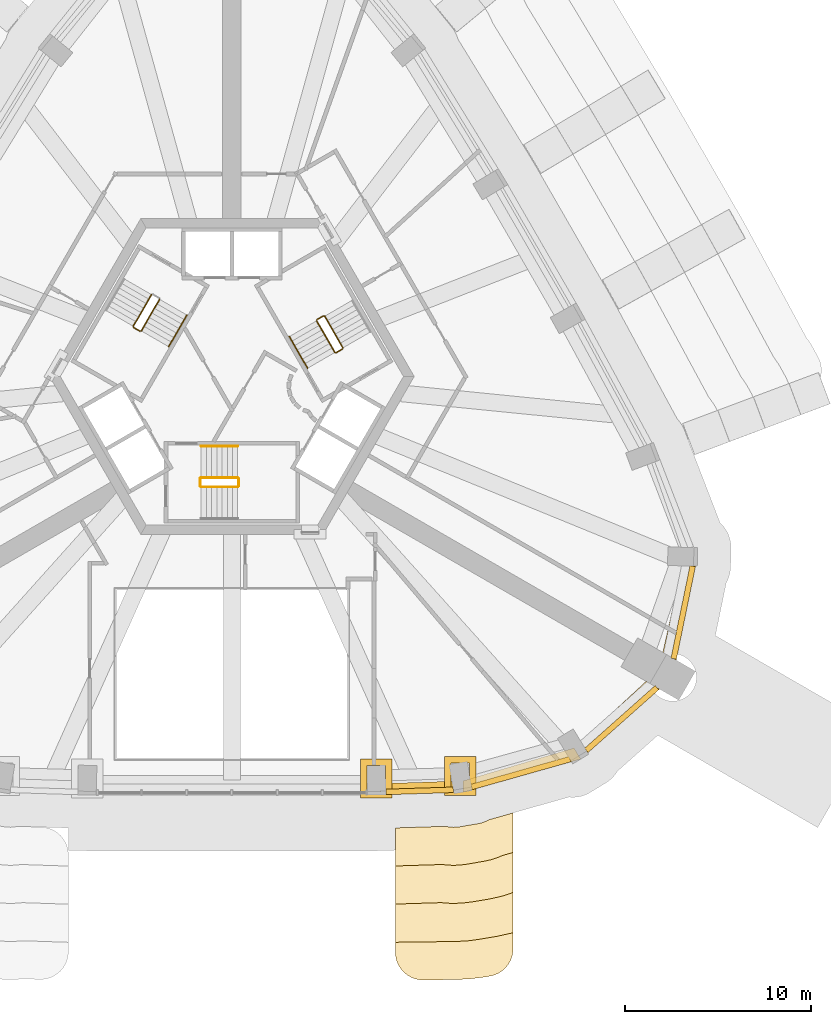
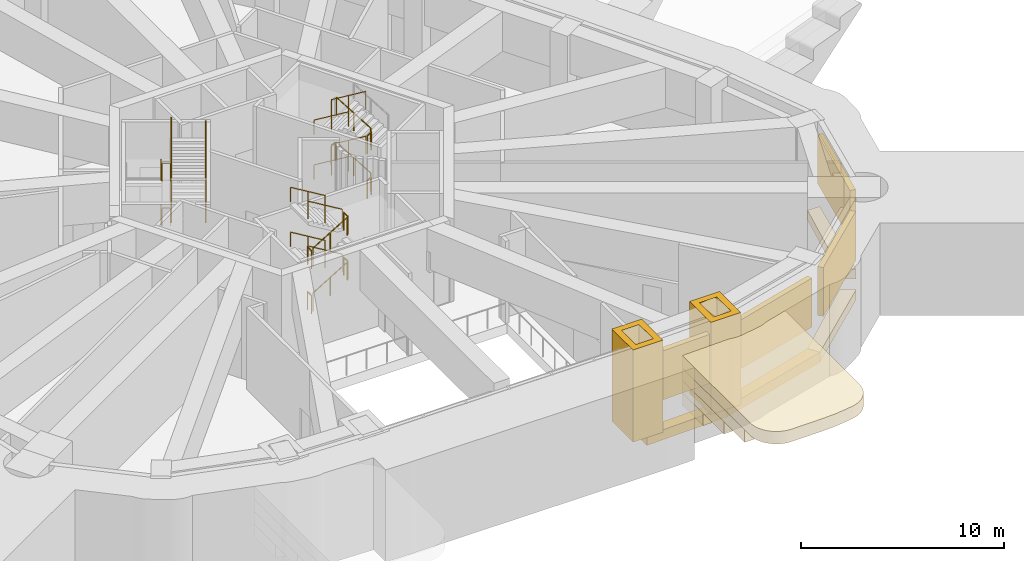
# One storey, part 11 of 15: 27 railings, 10 coverings, 4 shading devices.
"""IFC4 building model written with IfcOpenShell, lengths in metres."""

from ifc_helpers import new_model, si_unit, direction, frame, origin, origin_2d, place, context, subcontext, project, spatial, polyline, rectangle, circle, outline, extrude, material, layer, layer_set, type_object, element, save


model = new_model("IFC4")

# Units and contexts
model_context = context("Model", 3, precision=1e-05, world=origin(), true_north=direction((0.0, 1.0)))
body_context = subcontext(model_context, "Body", "Model", "MODEL_VIEW")
ifc_project = project(units=[si_unit("LENGTHUNIT", "METRE"), si_unit("AREAUNIT", "SQUARE_METRE"), si_unit("VOLUMEUNIT", "CUBIC_METRE"), si_unit("PLANEANGLEUNIT", "RADIAN"), si_unit("MASSUNIT", "GRAM", prefix="KILO")], contexts=[model_context])

# Site, building, storey
site_placement = place(None, origin())
site = spatial("IfcSite", under=ifc_project, at=site_placement, CompositionType="ELEMENT")
building_placement = place(site_placement, origin())
building = spatial("IfcBuilding", under=site, at=building_placement, Name="Entoto Arch Interchange Tower", CompositionType="ELEMENT")
storey_placement = place(building_placement, frame((0.0, 0.0, 326.0)))
storey = spatial("IfcBuildingStorey", under=building, at=storey_placement, Name="L77", CompositionType="ELEMENT", Elevation=326.0)

# Shading devices
ifc_material_1 = material(Name="Aluminium, anodised", Category="aluminium")
ifc_layer = layer(ifc_material_1, 0.300048828125)
ifc_layer_set = layer_set([ifc_layer], Name="Aluminium, anodised")
shading_device_type = type_object("IfcShadingDeviceType", Name="PLANT LOUVRE ALUMINIUM", PredefinedType="JALOUSIE", material=ifc_layer_set)
shading_device_1_placement = place(storey_placement, frame((10.10693359375, -19.81005859375, 1.2001953125), z_axis=(0.0, 0.0, 1.0), x_axis=(0.999496643061, 0.03172476177, 0.0)))
element("IfcShadingDevice", 1, at=shading_device_1_placement, inside=storey, type_object=shading_device_type, Name="Plant louvre S-03 L77", PredefinedType="JALOUSIE", context=body_context, shape_type="SweptSolid", body=[
    extrude(rectangle(XDim=3.625, YDim=0.300048828125, at=origin_2d()), origin(), (0.0, 0.0, 1.0), 2.949951171875),
])
shading_device_2_placement = place(storey_placement, frame((15.553955078125, -18.85400390625, 1.2001953125), z_axis=(0.0, 0.0, 1.0), x_axis=(0.962388882309, 0.271675613938, 0.0)))
element("IfcShadingDevice", 2, at=shading_device_2_placement, inside=storey, type_object=shading_device_type, Name="Plant louvre SE-01 L77", PredefinedType="JALOUSIE", context=body_context, shape_type="SweptSolid", body=[
    extrude(rectangle(XDim=5.5029296875, YDim=0.300048828125, at=origin_2d()), origin(), (0.0, 0.0, 1.0), 2.949951171875),
])
for number, where, z_axis, x_axis, name in (
    (3, (20.98388671875, -15.94091796875, 1.2001953125), (0.0, 0.0, 1.0), (0.747543106014, 0.664213297556, 0.0), "Plant louvre SE-02 L77"),
    (4, (24.297119140625, -10.200927734375, 1.2001953125), (0.0, 0.0, 1.0), (0.201402749538, 0.979508515776, 0.0), "Plant louvre SE-03 L77"),
):
    element("IfcShadingDevice", number, at=place(storey_placement, frame(where, z_axis=z_axis, x_axis=x_axis)), inside=storey, type_object=shading_device_type, Name=name, PredefinedType="JALOUSIE", context=body_context, shape_type="SweptSolid", body=[
        extrude(rectangle(XDim=5.089111328125, YDim=0.300048828125, at=origin_2d()), origin(), (0.0, 0.0, 1.0), 2.949951171875),
    ])

# Coverings
ifc_material_2 = material(Name="Board-marked precast concrete C50/60", Category="concrete")
covering_type_1 = type_object("IfcCoveringType", Name="PRECAST FRAME COURSE", PredefinedType="CLADDING", material=ifc_material_2)
covering_1_placement = place(storey_placement, frame((0.0, 0.0, 4.199951171875)))
element("IfcCovering", 5, at=covering_1_placement, inside=storey, type_object=covering_type_1, Name="Cantilever cornice L77 1", PredefinedType="CLADDING", context=body_context, shape_type="SweptSolid", body=[
    extrude(outline(polyline([(15.10791015625, -28.60400390625), (15.071044921875, -28.75), (15.01904296875, -28.89111328125), (14.9541015625, -29.02587890625), (14.875, -29.154052734375), (14.783935546875, -29.27294921875), (14.681884765625, -29.383056640625), (14.569091796875, -29.48193359375), (14.447021484375, -29.569091796875), (14.31591796875, -29.64404296875), (14.178955078125, -29.705078125), (14.037109375, -29.751953125), (13.889892578125, -29.783935546875), (13.6640625, -29.822998046875), (13.60595703125, -29.83203125), (12.922119140625, -29.9208984375), (12.804931640625, -29.931884765625), (12.757080078125, -29.93408203125), (12.115966796875, -29.968017578125), (12.056884765625, -29.969970703125), (10.99609375, -29.98291015625), (10.320068359375, -29.991943359375), (10.1708984375, -29.987060546875), (10.02392578125, -29.967041015625), (9.8798828125, -29.931884765625), (9.739990234375, -29.884033203125), (9.60498046875, -29.822021484375), (9.47705078125, -29.7470703125), (9.35693359375, -29.658935546875), (9.24609375, -29.56005859375), (9.14599609375, -29.450927734375), (9.056884765625, -29.33203125), (8.97998046875, -29.205078125), (8.916015625, -29.071044921875), (8.865966796875, -28.930908203125), (8.8291015625, -28.7880859375), (8.806884765625, -28.64111328125), (8.800048828125, -28.492919921875), (8.800048828125, -21.841064453125), (8.800048828125, -21.802978515625), (11.52392578125, -21.716064453125), (11.554931640625, -21.72509765625), (11.72900390625, -21.756103515625), (11.906005859375, -21.76904296875), (12.08203125, -21.76611328125), (12.258056640625, -21.743896484375), (13.242919921875, -21.575927734375), (13.416015625, -21.5380859375), (13.583984375, -21.48291015625), (13.7451171875, -21.412109375), (13.823974609375, -21.367919921875), (15.137939453125, -20.9970703125), (15.137939453125, -21.033935546875), (15.137939453125, -28.305908203125), (15.1298828125, -28.4560546875), (15.10791015625, -28.60400390625)])), origin(), (0.0, 0.0, 1.0), 0.75),
])
covering_2_placement = place(storey_placement, frame((0.0, 0.0, 3.449951171875)))
element("IfcCovering", 6, at=covering_2_placement, inside=storey, type_object=covering_type_1, Name="Cantilever cornice L77 2", PredefinedType="CLADDING", context=body_context, shape_type="SweptSolid", body=[
    extrude(outline(polyline([(8.800048828125, -21.802978515625), (11.52392578125, -21.716064453125), (11.554931640625, -21.72509765625), (11.72900390625, -21.756103515625), (11.906005859375, -21.76904296875), (12.08203125, -21.76611328125), (12.258056640625, -21.743896484375), (13.242919921875, -21.575927734375), (13.416015625, -21.5380859375), (13.583984375, -21.48291015625), (13.7451171875, -21.412109375), (13.823974609375, -21.367919921875), (15.137939453125, -20.9970703125), (15.137939453125, -21.033935546875), (15.137939453125, -27.43798828125), (15.0380859375, -27.469970703125), (14.277099609375, -27.638916015625), (13.291015625, -27.806884765625), (12.677001953125, -27.886962890625), (12.06005859375, -27.9189453125), (8.800048828125, -27.9619140625), (8.800048828125, -21.841064453125), (8.800048828125, -21.802978515625)])), origin(), (0.0, 0.0, 1.0), 0.75),
])
covering_3_placement = place(storey_placement, frame((0.0, 0.0, 2.699951171875)))
element("IfcCovering", 7, at=covering_3_placement, inside=storey, type_object=covering_type_1, Name="Cantilever cornice L77 3", PredefinedType="CLADDING", context=body_context, shape_type="SweptSolid", body=[
    extrude(outline(polyline([(8.800048828125, -21.802978515625), (11.52392578125, -21.716064453125), (11.554931640625, -21.72509765625), (11.72900390625, -21.756103515625), (11.906005859375, -21.76904296875), (12.08203125, -21.76611328125), (12.258056640625, -21.743896484375), (13.242919921875, -21.575927734375), (13.416015625, -21.5380859375), (13.583984375, -21.48291015625), (13.7451171875, -21.412109375), (13.823974609375, -21.367919921875), (15.137939453125, -20.9970703125), (15.137939453125, -21.033935546875), (15.137939453125, -25.27294921875), (15.048095703125, -25.31298828125), (14.4970703125, -25.492919921875), (13.931884765625, -25.617919921875), (12.946044921875, -25.785888671875), (12.3720703125, -25.85498046875), (11.79296875, -25.867919921875), (11.259033203125, -25.826904296875), (8.800048828125, -25.905029296875), (8.800048828125, -21.841064453125), (8.800048828125, -21.802978515625)])), origin(), (0.0, 0.0, 1.0), 0.75),
])
covering_4_placement = place(storey_placement, frame((0.0, 0.0, 1.949951171875)))
element("IfcCovering", 8, at=covering_4_placement, inside=storey, type_object=covering_type_1, Name="Cantilever cornice L77 4", PredefinedType="CLADDING", context=body_context, shape_type="SweptSolid", body=[
    extrude(outline(polyline([(8.800048828125, -21.802978515625), (11.52392578125, -21.716064453125), (11.554931640625, -21.72509765625), (11.72900390625, -21.756103515625), (11.906005859375, -21.76904296875), (12.08203125, -21.76611328125), (12.258056640625, -21.743896484375), (13.242919921875, -21.575927734375), (13.416015625, -21.5380859375), (13.583984375, -21.48291015625), (13.7451171875, -21.412109375), (13.823974609375, -21.367919921875), (15.137939453125, -20.9970703125), (15.137939453125, -21.033935546875), (15.137939453125, -23.126953125), (14.56298828125, -23.2890625), (14.31591796875, -23.39794921875), (13.95703125, -23.51611328125), (13.587890625, -23.596923828125), (12.60205078125, -23.764892578125), (12.22705078125, -23.81005859375), (11.84912109375, -23.819091796875), (11.471923828125, -23.7900390625), (11.3740234375, -23.77197265625), (8.800048828125, -23.85400390625), (8.800048828125, -21.841064453125), (8.800048828125, -21.802978515625)])), origin(), (0.0, 0.0, 1.0), 0.75),
])
covering_5_placement = place(storey_placement, frame((0.0, 0.0, -0.60009765625)))
element("IfcCovering", 9, at=covering_5_placement, inside=storey, type_object=covering_type_1, Name="Gate pier L77", PredefinedType="CLADDING", context=body_context, shape_type="SweptSolid", body=[
    extrude(outline(polyline([(6.931884765625, -18.083984375), (8.632080078125, -18.083984375), (8.632080078125, -20.18408203125), (6.931884765625, -20.18408203125), (6.931884765625, -18.083984375)]), holes=[polyline([(7.281982421875, -18.43408203125), (7.281982421875, -19.833984375), (8.281982421875, -19.833984375), (8.281982421875, -18.43408203125), (7.281982421875, -18.43408203125)])]), origin(), (0.0, 0.0, 1.0), 5.550048828125),
])
covering_6_placement = place(storey_placement, frame((0.0, 0.0, -0.60009765625)))
element("IfcCovering", 10, at=covering_6_placement, inside=storey, type_object=covering_type_1, Name="Gate pier L77", PredefinedType="CLADDING", context=body_context, shape_type="SweptSolid", body=[
    extrude(outline(polyline([(11.447021484375, -17.948974609375), (13.14697265625, -17.948974609375), (13.14697265625, -20.049072265625), (11.447021484375, -20.049072265625), (11.447021484375, -17.948974609375)]), holes=[polyline([(11.797119140625, -18.299072265625), (11.797119140625, -19.698974609375), (12.797119140625, -19.698974609375), (12.797119140625, -18.299072265625), (11.797119140625, -18.299072265625)])]), origin(), (0.0, 0.0, 1.0), 5.550048828125),
])
covering_type_2 = type_object("IfcCoveringType", Name="PRECAST LEDGE COURSE", PredefinedType="CLADDING", material=ifc_material_2)
covering_7_placement = place(storey_placement, frame((0.0, 0.0, -1.199951171875)))
element("IfcCovering", 11, at=covering_7_placement, inside=storey, type_object=covering_type_2, Name="Precast course S-03 L77", PredefinedType="CLADDING", context=body_context, shape_type="SweptSolid", body=[
    extrude(outline(polyline([(12.447998046875, -19.27197265625), (12.447998046875, -19.885986328125), (7.800048828125, -20.033935546875), (7.800048828125, -19.427978515625), (12.447998046875, -19.27197265625)])), origin(), (0.0, 0.0, 1.0), 0.599853515625),
])
covering_8_placement = place(storey_placement, frame((0.0, 0.0, -1.199951171875)))
element("IfcCovering", 12, at=covering_8_placement, inside=storey, type_object=covering_type_2, Name="Precast course SE-01 L77", PredefinedType="CLADDING", context=body_context, shape_type="SweptSolid", body=[
    extrude(outline(polyline([(18.41796875, -17.501953125), (18.781982421875, -18.097900390625), (12.447998046875, -19.885986328125), (12.447998046875, -19.27197265625), (18.41796875, -17.501953125)])), origin(), (0.0, 0.0, 1.0), 0.599853515625),
])
covering_9_placement = place(storey_placement, frame((0.0, 0.0, -1.199951171875)))
element("IfcCovering", 13, at=covering_9_placement, inside=storey, type_object=covering_type_2, Name="Precast course SE-02 L77", PredefinedType="CLADDING", context=body_context, shape_type="SweptSolid", body=[
    extrude(outline(polyline([(22.302978515625, -13.916015625), (23.02197265625, -14.3310546875), (18.781982421875, -18.097900390625), (18.41796875, -17.501953125), (22.302978515625, -13.916015625)])), origin(), (0.0, 0.0, 1.0), 0.599853515625),
])
covering_10_placement = place(storey_placement, frame((0.0, 0.0, -1.199951171875)))
element("IfcCovering", 14, at=covering_10_placement, inside=storey, type_object=covering_type_2, Name="Precast course SE-03 L77", PredefinedType="CLADDING", context=body_context, shape_type="SweptSolid", body=[
    extrude(outline(polyline([(24.365966796875, -7.198974609375), (25.06396484375, -7.216064453125), (23.922119140625, -12.77197265625), (23.202880859375, -12.35693359375), (24.365966796875, -7.198974609375)])), origin(), (0.0, 0.0, 1.0), 0.599853515625),
])

# Railings
ifc_material_3 = material(Name="Stainless steel 1.4301", Category="steel")
railing_type_1 = type_object("IfcRailingType", Name="STAIR GUARD 1100 STEEL", PredefinedType="GUARDRAIL", material=ifc_material_3)
railing_1_placement = place(storey_placement, frame((-1.64990234375, -3.449951171875, 0.168701171875)))
element("IfcRailing", 15, at=railing_1_placement, inside=storey, type_object=railing_type_1, Name="L77 ST-S stair guard 1", PredefinedType="GUARDRAIL", context=body_context, shape_type="SweptSolid", body=[
    extrude(circle(Radius=0.02392578125, at=origin_2d()), frame((0.0, 0.0, 1.076171875), z_axis=(0.856446297458, 0.0, 0.516236127728), x_axis=(0.0, 1.0, 0.0)), (0.0, 0.0, 1.0), 2.28857421875),
    extrude(circle(Radius=0.02099609375, at=origin_2d()), origin(), (0.0, 0.0, 1.0), 1.052001953125),
    extrude(circle(Radius=0.02099609375, at=origin_2d()), frame((0.97998046875, 0.0, 0.5908203125)), (0.0, 0.0, 1.0), 1.052001953125),
    extrude(circle(Radius=0.02099609375, at=origin_2d()), frame((1.9599609375, 0.0, 1.181396484375)), (0.0, 0.0, 1.0), 1.052001953125),
])
railing_2_placement = place(storey_placement, frame((0.360107421875, -3.39990234375, 1.35009765625)))
element("IfcRailing", 16, at=railing_2_placement, inside=storey, type_object=railing_type_1, Name="L77 ST-S stair guard 2", PredefinedType="GUARDRAIL", context=body_context, shape_type="SweptSolid", body=[
    extrude(circle(Radius=0.02392578125, at=origin_2d()), frame((0.0, 0.0, 1.076171875), z_axis=(0.0, 1.0, 0.0), x_axis=(-1.0, 0.0, 0.0)), (0.0, 0.0, 1.0), 0.39990234375),
    extrude(circle(Radius=0.02099609375, at=origin_2d()), origin(), (0.0, 0.0, 1.0), 1.052001953125),
    extrude(circle(Radius=0.02099609375, at=origin_2d()), frame((0.0, 0.39990234375, 0.0)), (0.0, 0.0, 1.0), 1.052001953125),
])
railing_3_placement = place(storey_placement, frame((0.31005859375, -2.949951171875, 1.518798828125)))
element("IfcRailing", 17, at=railing_3_placement, inside=storey, type_object=railing_type_1, Name="L77 ST-S stair guard 3", PredefinedType="GUARDRAIL", context=body_context, shape_type="SweptSolid", body=[
    extrude(circle(Radius=0.02392578125, at=origin_2d()), frame((0.0, 0.0, 1.076171875), z_axis=(-0.856493463811, 0.0, 0.516157869696), x_axis=(0.0, -1.0, 0.0)), (0.0, 0.0, 1.0), 2.288330078125),
    extrude(circle(Radius=0.02099609375, at=origin_2d()), origin(), (0.0, 0.0, 1.0), 1.052001953125),
    extrude(circle(Radius=0.02099609375, at=origin_2d()), frame((-0.97998046875, 0.0, 0.590576171875)), (0.0, 0.0, 1.0), 1.052001953125),
    extrude(circle(Radius=0.02099609375, at=origin_2d()), frame((-1.9599609375, 0.0, 1.18115234375)), (0.0, 0.0, 1.0), 1.052001953125),
])
railing_4_placement = place(storey_placement, frame((-1.699951171875, -3.39990234375, 2.699951171875)))
element("IfcRailing", 18, at=railing_4_placement, inside=storey, type_object=railing_type_1, Name="L77 ST-S stair guard 4", PredefinedType="GUARDRAIL", context=body_context, shape_type="SweptSolid", body=[
    extrude(circle(Radius=0.02392578125, at=origin_2d()), frame((0.0, 0.0, 1.076171875), z_axis=(0.0, 1.0, 0.0), x_axis=(-1.0, 0.0, 0.0)), (0.0, 0.0, 1.0), 0.39990234375),
    extrude(circle(Radius=0.02099609375, at=origin_2d()), origin(), (0.0, 0.0, 1.0), 1.052001953125),
    extrude(circle(Radius=0.02099609375, at=origin_2d()), frame((0.0, 0.39990234375, 0.0)), (0.0, 0.0, 1.0), 1.052001953125),
])
railing_5_placement = place(storey_placement, frame((-1.64990234375, -3.449951171875, 2.86865234375)))
element("IfcRailing", 19, at=railing_5_placement, inside=storey, type_object=railing_type_1, Name="L77 ST-S stair guard 5", PredefinedType="GUARDRAIL", context=body_context, shape_type="SweptSolid", body=[
    extrude(circle(Radius=0.02392578125, at=origin_2d()), frame((0.0, 0.0, 1.076171875), z_axis=(0.856446297458, 0.0, 0.516236127728), x_axis=(0.0, 1.0, 0.0)), (0.0, 0.0, 1.0), 2.28857421875),
    extrude(circle(Radius=0.02099609375, at=origin_2d()), origin(), (0.0, 0.0, 1.0), 1.052001953125),
    extrude(circle(Radius=0.02099609375, at=origin_2d()), frame((0.97998046875, 0.0, 0.5908203125)), (0.0, 0.0, 1.0), 1.052001953125),
    extrude(circle(Radius=0.02099609375, at=origin_2d()), frame((1.9599609375, 0.0, 1.181396484375)), (0.0, 0.0, 1.0), 1.052001953125),
])
railing_6_placement = place(storey_placement, frame((0.360107421875, -3.39990234375, 4.050048828125)))
element("IfcRailing", 20, at=railing_6_placement, inside=storey, type_object=railing_type_1, Name="L77 ST-S stair guard 6", PredefinedType="GUARDRAIL", context=body_context, shape_type="SweptSolid", body=[
    extrude(circle(Radius=0.02392578125, at=origin_2d()), frame((0.0, 0.0, 1.076171875), z_axis=(0.0, 1.0, 0.0), x_axis=(-1.0, 0.0, 0.0)), (0.0, 0.0, 1.0), 0.39990234375),
    extrude(circle(Radius=0.02099609375, at=origin_2d()), origin(), (0.0, 0.0, 1.0), 1.052001953125),
    extrude(circle(Radius=0.02099609375, at=origin_2d()), frame((0.0, 0.39990234375, 0.0)), (0.0, 0.0, 1.0), 1.052001953125),
])
railing_7_placement = place(storey_placement, frame((0.31005859375, -2.949951171875, 4.21875)))
element("IfcRailing", 21, at=railing_7_placement, inside=storey, type_object=railing_type_1, Name="L77 ST-S stair guard 7", PredefinedType="GUARDRAIL", context=body_context, shape_type="SweptSolid", body=[
    extrude(circle(Radius=0.02392578125, at=origin_2d()), frame((0.0, 0.0, 1.076171875), z_axis=(-0.856493463811, 0.0, 0.516157869696), x_axis=(0.0, -1.0, 0.0)), (0.0, 0.0, 1.0), 2.288330078125),
    extrude(circle(Radius=0.02099609375, at=origin_2d()), origin(), (0.0, 0.0, 1.0), 1.052001953125),
    extrude(circle(Radius=0.02099609375, at=origin_2d()), frame((-0.97998046875, 0.0, 0.590576171875)), (0.0, 0.0, 1.0), 1.052001953125),
    extrude(circle(Radius=0.02099609375, at=origin_2d()), frame((-1.9599609375, 0.0, 1.18115234375)), (0.0, 0.0, 1.0), 1.052001953125),
])
railing_8_placement = place(storey_placement, frame((-1.699951171875, -3.39990234375, 0.0)))
element("IfcRailing", 22, at=railing_8_placement, inside=storey, type_object=railing_type_1, Name="L77 ST-S stair guard 8", PredefinedType="GUARDRAIL", context=body_context, shape_type="SweptSolid", body=[
    extrude(circle(Radius=0.02392578125, at=origin_2d()), frame((0.0, 0.0, 1.076171875), z_axis=(0.0, 1.0, 0.0), x_axis=(-1.0, 0.0, 0.0)), (0.0, 0.0, 1.0), 0.39990234375),
    extrude(circle(Radius=0.02099609375, at=origin_2d()), origin(), (0.0, 0.0, 1.0), 1.052001953125),
    extrude(circle(Radius=0.02099609375, at=origin_2d()), frame((0.0, 0.39990234375, 0.0)), (0.0, 0.0, 1.0), 1.052001953125),
])
railing_9_placement = place(storey_placement, frame((5.977783203125, 4.046142578125, 0.168701171875)))
element("IfcRailing", 23, at=railing_9_placement, inside=storey, type_object=railing_type_1, Name="L77 ST-NE stair guard 1", PredefinedType="GUARDRAIL", context=body_context, shape_type="SweptSolid", body=[
    extrude(circle(Radius=0.02392578125, at=origin_2d()), frame((0.0, 0.0, 1.076171875), z_axis=(-0.428238462606, 0.741682559053, 0.516254589076), x_axis=(-0.866011328839, -0.500024377727, 0.0)), (0.0, 0.0, 1.0), 2.288330078125),
    extrude(circle(Radius=0.02099609375, at=origin_2d()), origin(), (0.0, 0.0, 1.0), 1.052001953125),
    extrude(circle(Radius=0.02099609375, at=origin_2d()), frame((-0.489990234375, 0.8486328125, 0.5908203125)), (0.0, 0.0, 1.0), 1.052001953125),
    extrude(circle(Radius=0.02099609375, at=origin_2d()), frame((-0.97998046875, 1.697265625, 1.181396484375)), (0.0, 0.0, 1.0), 1.052001953125),
])
railing_10_placement = place(storey_placement, frame((4.929443359375, 5.76171875, 1.35009765625)))
element("IfcRailing", 24, at=railing_10_placement, inside=storey, type_object=railing_type_1, Name="L77 ST-NE stair guard 2", PredefinedType="GUARDRAIL", context=body_context, shape_type="SweptSolid", body=[
    extrude(circle(Radius=0.02392578125, at=origin_2d()), frame((0.0, 0.0, 1.076171875), z_axis=(-0.865941482684, -0.500145327446, 0.0), x_axis=(0.500145327446, -0.865941482684, 0.0)), (0.0, 0.0, 1.0), 0.39990234375),
    extrude(circle(Radius=0.02099609375, at=origin_2d()), origin(), (0.0, 0.0, 1.0), 1.052001953125),
    extrude(circle(Radius=0.02099609375, at=origin_2d()), frame((-0.34619140625, -0.199951171875, 0.0)), (0.0, 0.0, 1.0), 1.052001953125),
])
railing_11_placement = place(storey_placement, frame((4.56494140625, 5.493408203125, 1.518798828125)))
element("IfcRailing", 25, at=railing_11_placement, inside=storey, type_object=railing_type_1, Name="L77 ST-NE stair guard 3", PredefinedType="GUARDRAIL", context=body_context, shape_type="SweptSolid", body=[
    extrude(circle(Radius=0.02392578125, at=origin_2d()), frame((0.0, 0.0, 1.076171875), z_axis=(0.428262048313, -0.74172340804, 0.516176330279), x_axis=(0.866011328839, 0.500024377727, 0.0)), (0.0, 0.0, 1.0), 2.288330078125),
    extrude(circle(Radius=0.02099609375, at=origin_2d()), origin(), (0.0, 0.0, 1.0), 1.052001953125),
    extrude(circle(Radius=0.02099609375, at=origin_2d()), frame((0.489990234375, -0.8486328125, 0.590576171875)), (0.0, 0.0, 1.0), 1.052001953125),
    extrude(circle(Radius=0.02099609375, at=origin_2d()), frame((0.97998046875, -1.697265625, 1.18115234375)), (0.0, 0.0, 1.0), 1.052001953125),
])
railing_12_placement = place(storey_placement, frame((5.95947265625, 3.977783203125, 2.699951171875)))
element("IfcRailing", 26, at=railing_12_placement, inside=storey, type_object=railing_type_1, Name="L77 ST-NE stair guard 4", PredefinedType="GUARDRAIL", context=body_context, shape_type="SweptSolid", body=[
    extrude(circle(Radius=0.02392578125, at=origin_2d()), frame((0.0, 0.0, 1.076171875), z_axis=(-0.866094119867, -0.499880961361, 0.0), x_axis=(0.499880961361, -0.866094119867, 0.0)), (0.0, 0.0, 1.0), 0.39990234375),
    extrude(circle(Radius=0.02099609375, at=origin_2d()), origin(), (0.0, 0.0, 1.0), 1.052001953125),
    extrude(circle(Radius=0.02099609375, at=origin_2d()), frame((-0.346435546875, -0.199951171875, 0.0)), (0.0, 0.0, 1.0), 1.052001953125),
])
railing_13_placement = place(storey_placement, frame((5.977783203125, 4.046142578125, 2.86865234375)))
element("IfcRailing", 27, at=railing_13_placement, inside=storey, type_object=railing_type_1, Name="L77 ST-NE stair guard 5", PredefinedType="GUARDRAIL", context=body_context, shape_type="SweptSolid", body=[
    extrude(circle(Radius=0.02392578125, at=origin_2d()), frame((0.0, 0.0, 1.076171875), z_axis=(-0.428238462606, 0.741682559053, 0.516254589076), x_axis=(-0.866011328839, -0.500024377727, 0.0)), (0.0, 0.0, 1.0), 2.288330078125),
    extrude(circle(Radius=0.02099609375, at=origin_2d()), origin(), (0.0, 0.0, 1.0), 1.052001953125),
    extrude(circle(Radius=0.02099609375, at=origin_2d()), frame((-0.489990234375, 0.8486328125, 0.5908203125)), (0.0, 0.0, 1.0), 1.052001953125),
    extrude(circle(Radius=0.02099609375, at=origin_2d()), frame((-0.97998046875, 1.697265625, 1.181396484375)), (0.0, 0.0, 1.0), 1.052001953125),
])
railing_14_placement = place(storey_placement, frame((4.56494140625, 5.493408203125, 4.21875)))
element("IfcRailing", 28, at=railing_14_placement, inside=storey, type_object=railing_type_1, Name="L77 ST-NE stair guard 7", PredefinedType="GUARDRAIL", context=body_context, shape_type="SweptSolid", body=[
    extrude(circle(Radius=0.02392578125, at=origin_2d()), frame((0.0, 0.0, 1.076171875), z_axis=(0.428262048313, -0.74172340804, 0.516176330279), x_axis=(0.866011328839, 0.500024377727, 0.0)), (0.0, 0.0, 1.0), 2.288330078125),
    extrude(circle(Radius=0.02099609375, at=origin_2d()), origin(), (0.0, 0.0, 1.0), 1.052001953125),
    extrude(circle(Radius=0.02099609375, at=origin_2d()), frame((0.489990234375, -0.8486328125, 0.590576171875)), (0.0, 0.0, 1.0), 1.052001953125),
    extrude(circle(Radius=0.02099609375, at=origin_2d()), frame((0.97998046875, -1.697265625, 1.18115234375)), (0.0, 0.0, 1.0), 1.052001953125),
])
railing_15_placement = place(storey_placement, frame((5.95947265625, 3.977783203125, 0.0)))
element("IfcRailing", 29, at=railing_15_placement, inside=storey, type_object=railing_type_1, Name="L77 ST-NE stair guard 8", PredefinedType="GUARDRAIL", context=body_context, shape_type="SweptSolid", body=[
    extrude(circle(Radius=0.02392578125, at=origin_2d()), frame((0.0, 0.0, 1.076171875), z_axis=(-0.866094119867, -0.499880961361, 0.0), x_axis=(0.499880961361, -0.866094119867, 0.0)), (0.0, 0.0, 1.0), 0.39990234375),
    extrude(circle(Radius=0.02099609375, at=origin_2d()), origin(), (0.0, 0.0, 1.0), 1.052001953125),
    extrude(circle(Radius=0.02099609375, at=origin_2d()), frame((-0.346435546875, -0.199951171875, 0.0)), (0.0, 0.0, 1.0), 1.052001953125),
])
railing_16_placement = place(storey_placement, frame((-4.327880859375, 6.904052734375, 0.168701171875)))
element("IfcRailing", 30, at=railing_16_placement, inside=storey, type_object=railing_type_1, Name="L77 ST-NW stair guard 1", PredefinedType="GUARDRAIL", context=body_context, shape_type="SweptSolid", body=[
    extrude(circle(Radius=0.02392578125, at=origin_2d()), frame((0.0, 0.0, 1.076171875), z_axis=(-0.428204578836, -0.741730552229, 0.516213741153), x_axis=(0.866042469362, -0.499970440388, 0.0)), (0.0, 0.0, 1.0), 2.28857421875),
    extrude(circle(Radius=0.02099609375, at=origin_2d()), origin(), (0.0, 0.0, 1.0), 1.052001953125),
    extrude(circle(Radius=0.02099609375, at=origin_2d()), frame((-0.489990234375, -0.8486328125, 0.5908203125)), (0.0, 0.0, 1.0), 1.052001953125),
    extrude(circle(Radius=0.02099609375, at=origin_2d()), frame((-0.97998046875, -1.697509765625, 1.181396484375)), (0.0, 0.0, 1.0), 1.052001953125),
])
railing_17_placement = place(storey_placement, frame((-5.28955078125, 5.13818359375, 1.35009765625)))
element("IfcRailing", 31, at=railing_17_placement, inside=storey, type_object=railing_type_1, Name="L77 ST-NW stair guard 2", PredefinedType="GUARDRAIL", context=body_context, shape_type="SweptSolid", body=[
    extrude(circle(Radius=0.02392578125, at=origin_2d()), frame((0.0, 0.0, 1.076171875), z_axis=(0.866094119867, -0.499880961361, 0.0), x_axis=(0.499880961361, 0.866094119867, 0.0)), (0.0, 0.0, 1.0), 0.39990234375),
    extrude(circle(Radius=0.02099609375, at=origin_2d()), origin(), (0.0, 0.0, 1.0), 1.052001953125),
    extrude(circle(Radius=0.02099609375, at=origin_2d()), frame((0.346435546875, -0.199951171875, 0.0)), (0.0, 0.0, 1.0), 1.052001953125),
])
railing_18_placement = place(storey_placement, frame((-4.874755859375, 4.95654296875, 1.518798828125)))
element("IfcRailing", 32, at=railing_18_placement, inside=storey, type_object=railing_type_1, Name="L77 ST-NW stair guard 3", PredefinedType="GUARDRAIL", context=body_context, shape_type="SweptSolid", body=[
    extrude(circle(Radius=0.02392578125, at=origin_2d()), frame((0.0, 0.0, 1.076171875), z_axis=(0.428228158944, 0.741771397394, 0.516135484049), x_axis=(-0.866042469362, 0.499970440388, 0.0)), (0.0, 0.0, 1.0), 2.28857421875),
    extrude(circle(Radius=0.02099609375, at=origin_2d()), origin(), (0.0, 0.0, 1.0), 1.052001953125),
    extrude(circle(Radius=0.02099609375, at=origin_2d()), frame((0.489990234375, 0.8486328125, 0.590576171875)), (0.0, 0.0, 1.0), 1.052001953125),
    extrude(circle(Radius=0.02099609375, at=origin_2d()), frame((0.97998046875, 1.697509765625, 1.18115234375)), (0.0, 0.0, 1.0), 1.052001953125),
])
railing_19_placement = place(storey_placement, frame((-4.327880859375, 6.904052734375, 2.86865234375)))
element("IfcRailing", 33, at=railing_19_placement, inside=storey, type_object=railing_type_1, Name="L77 ST-NW stair guard 5", PredefinedType="GUARDRAIL", context=body_context, shape_type="SweptSolid", body=[
    extrude(circle(Radius=0.02392578125, at=origin_2d()), frame((0.0, 0.0, 1.076171875), z_axis=(-0.428204578836, -0.741730552229, 0.516213741153), x_axis=(0.866042469362, -0.499970440388, 0.0)), (0.0, 0.0, 1.0), 2.28857421875),
    extrude(circle(Radius=0.02099609375, at=origin_2d()), origin(), (0.0, 0.0, 1.0), 1.052001953125),
    extrude(circle(Radius=0.02099609375, at=origin_2d()), frame((-0.489990234375, -0.8486328125, 0.5908203125)), (0.0, 0.0, 1.0), 1.052001953125),
    extrude(circle(Radius=0.02099609375, at=origin_2d()), frame((-0.97998046875, -1.697509765625, 1.181396484375)), (0.0, 0.0, 1.0), 1.052001953125),
])
railing_20_placement = place(storey_placement, frame((-5.28955078125, 5.13818359375, 4.050048828125)))
element("IfcRailing", 34, at=railing_20_placement, inside=storey, type_object=railing_type_1, Name="L77 ST-NW stair guard 6", PredefinedType="GUARDRAIL", context=body_context, shape_type="SweptSolid", body=[
    extrude(circle(Radius=0.02392578125, at=origin_2d()), frame((0.0, 0.0, 1.076171875), z_axis=(0.866094119867, -0.499880961361, 0.0), x_axis=(0.499880961361, 0.866094119867, 0.0)), (0.0, 0.0, 1.0), 0.39990234375),
    extrude(circle(Radius=0.02099609375, at=origin_2d()), origin(), (0.0, 0.0, 1.0), 1.052001953125),
    extrude(circle(Radius=0.02099609375, at=origin_2d()), frame((0.346435546875, -0.199951171875, 0.0)), (0.0, 0.0, 1.0), 1.052001953125),
])
railing_21_placement = place(storey_placement, frame((-4.874755859375, 4.95654296875, 4.21875)))
element("IfcRailing", 35, at=railing_21_placement, inside=storey, type_object=railing_type_1, Name="L77 ST-NW stair guard 7", PredefinedType="GUARDRAIL", context=body_context, shape_type="SweptSolid", body=[
    extrude(circle(Radius=0.02392578125, at=origin_2d()), frame((0.0, 0.0, 1.076171875), z_axis=(0.428228158944, 0.741771397394, 0.516135484049), x_axis=(-0.866042469362, 0.499970440388, 0.0)), (0.0, 0.0, 1.0), 2.28857421875),
    extrude(circle(Radius=0.02099609375, at=origin_2d()), origin(), (0.0, 0.0, 1.0), 1.052001953125),
    extrude(circle(Radius=0.02099609375, at=origin_2d()), frame((0.489990234375, 0.8486328125, 0.590576171875)), (0.0, 0.0, 1.0), 1.052001953125),
    extrude(circle(Radius=0.02099609375, at=origin_2d()), frame((0.97998046875, 1.697509765625, 1.18115234375)), (0.0, 0.0, 1.0), 1.052001953125),
])
railing_type_2 = type_object("IfcRailingType", Name="STAIR HANDRAIL 900 STEEL", PredefinedType="HANDRAIL", material=ifc_material_3)
for number, where, name in (
    (36, (0.31005859375, -1.25, 1.518798828125), "L77 ST-S stair handrail 2"),
    (37, (0.31005859375, -1.25, 4.21875), "L77 ST-S stair handrail 4"),
):
    element("IfcRailing", number, at=place(storey_placement, frame(where)), inside=storey, type_object=railing_type_2, Name=name, PredefinedType="HANDRAIL", context=body_context, shape_type="SweptSolid", body=[
        extrude(circle(Radius=0.02392578125, at=origin_2d()), frame((0.0, 0.0, 0.8759765625), z_axis=(-0.856493463811, 0.0, 0.516157869696), x_axis=(0.0, -1.0, 0.0)), (0.0, 0.0, 1.0), 2.288330078125),
        extrude(circle(Radius=0.02099609375, at=origin_2d()), origin(), (0.0, 0.0, 1.0), 0.851806640625),
        extrude(circle(Radius=0.02099609375, at=origin_2d()), frame((-0.97998046875, 0.0, 0.590576171875)), (0.0, 0.0, 1.0), 0.851806640625),
        extrude(circle(Radius=0.02099609375, at=origin_2d()), frame((-1.9599609375, 0.0, 1.18115234375)), (0.0, 0.0, 1.0), 0.851806640625),
    ])
for number, where, name in (
    (38, (3.092529296875, 4.6435546875, 1.518798828125), "L77 ST-NE stair handrail 2"),
    (39, (3.092529296875, 4.6435546875, 4.21875), "L77 ST-NE stair handrail 4"),
):
    element("IfcRailing", number, at=place(storey_placement, frame(where)), inside=storey, type_object=railing_type_2, Name=name, PredefinedType="HANDRAIL", context=body_context, shape_type="SweptSolid", body=[
        extrude(circle(Radius=0.02392578125, at=origin_2d()), frame((0.0, 0.0, 0.8759765625), z_axis=(0.428228158944, -0.741771397394, 0.516135484049), x_axis=(0.866042469362, 0.499970440388, 0.0)), (0.0, 0.0, 1.0), 2.28857421875),
        extrude(circle(Radius=0.02099609375, at=origin_2d()), origin(), (0.0, 0.0, 1.0), 0.851806640625),
        extrude(circle(Radius=0.02099609375, at=origin_2d()), frame((0.489990234375, -0.8486328125, 0.590576171875)), (0.0, 0.0, 1.0), 0.851806640625),
        extrude(circle(Radius=0.02099609375, at=origin_2d()), frame((0.97998046875, -1.697509765625, 1.18115234375)), (0.0, 0.0, 1.0), 0.851806640625),
    ])
for number, where, name in (
    (40, (-3.402587890625, 4.1064453125, 1.518798828125), "L77 ST-NW stair handrail 2"),
    (41, (-3.402587890625, 4.1064453125, 4.21875), "L77 ST-NW stair handrail 4"),
):
    element("IfcRailing", number, at=place(storey_placement, frame(where)), inside=storey, type_object=railing_type_2, Name=name, PredefinedType="HANDRAIL", context=body_context, shape_type="SweptSolid", body=[
        extrude(circle(Radius=0.02392578125, at=origin_2d()), frame((0.0, 0.0, 0.8759765625), z_axis=(0.428228158944, 0.741771397394, 0.516135484049), x_axis=(-0.866042469362, 0.499970440388, 0.0)), (0.0, 0.0, 1.0), 2.28857421875),
        extrude(circle(Radius=0.02099609375, at=origin_2d()), origin(), (0.0, 0.0, 1.0), 0.851806640625),
        extrude(circle(Radius=0.02099609375, at=origin_2d()), frame((0.489990234375, 0.8486328125, 0.590576171875)), (0.0, 0.0, 1.0), 0.851806640625),
        extrude(circle(Radius=0.02099609375, at=origin_2d()), frame((0.97998046875, 1.697509765625, 1.18115234375)), (0.0, 0.0, 1.0), 0.851806640625),
    ])

save(model, "model.ifc")
